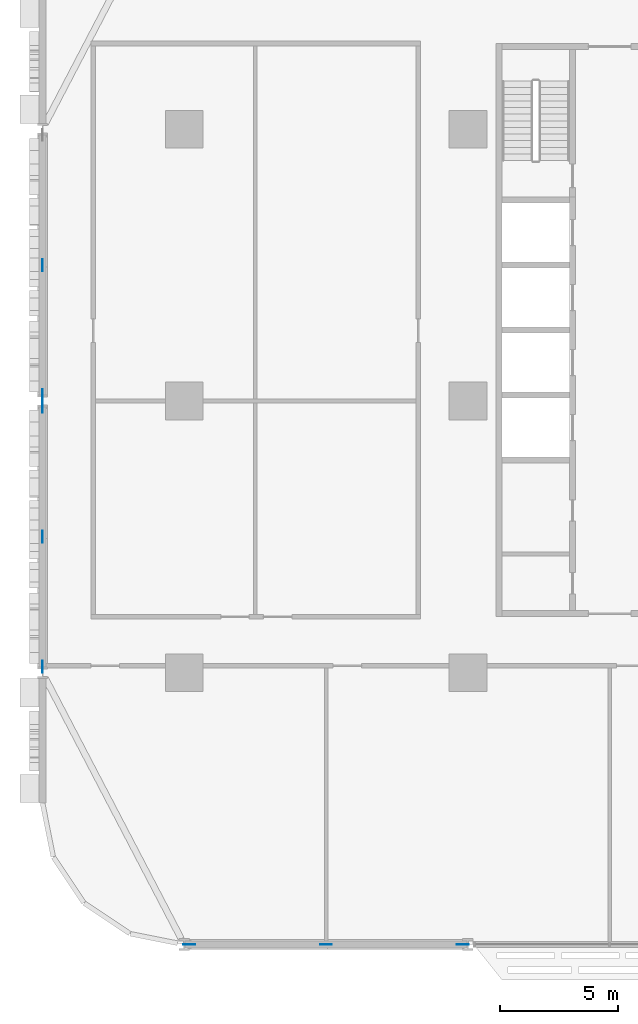
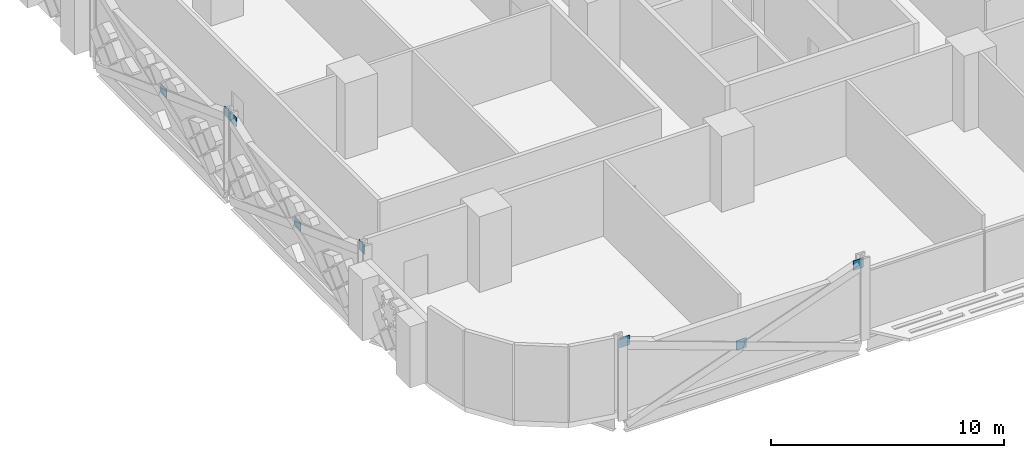
# One storey, part 16 of 28: 8 discrete accessories.
"""IFC4 building model written with IfcOpenShell, lengths in metres."""

from ifc_helpers import new_model, si_unit, direction, frame, origin, origin_2d, place, context, subcontext, project, spatial, rectangle, extrude, material, layer, layer_set, type_object, element, save


model = new_model("IFC4")

# Units and contexts
model_context = context("Model", 3, precision=1e-05, world=origin(), true_north=direction((0.0, 1.0)))
body_context = subcontext(model_context, "Body", "Model", "MODEL_VIEW")
ifc_project = project(units=[si_unit("LENGTHUNIT", "METRE"), si_unit("AREAUNIT", "SQUARE_METRE"), si_unit("VOLUMEUNIT", "CUBIC_METRE"), si_unit("PLANEANGLEUNIT", "RADIAN"), si_unit("MASSUNIT", "GRAM", prefix="KILO")], contexts=[model_context])

# Site, building, storey
site_placement = place(None, origin())
site = spatial("IfcSite", under=ifc_project, at=site_placement, CompositionType="ELEMENT")
building_placement = place(site_placement, origin())
building = spatial("IfcBuilding", under=site, at=building_placement, Name="Mahtab Terrace Research Tower", CompositionType="ELEMENT")
storey_placement = place(building_placement, frame((0.0, 0.0, 33.0)))
storey = spatial("IfcBuildingStorey", under=building, at=storey_placement, Name="L07", CompositionType="ELEMENT", Elevation=33.0)

# Discrete accessories
ifc_material = material(Name="Steel ASTM A992 Gr 50", Category="steel")
ifc_layer = layer(ifc_material, 0.030029296875)
ifc_layer_set = layer_set([ifc_layer], Name="Gusset plate 500x500x30")
discrete_accessory_type = type_object("IfcDiscreteAccessoryType", Name="Gusset plate 500x500x30", PredefinedType="USERDEFINED", material=ifc_layer_set)
for number, where, z_axis, x_axis, name in (
    (1, (-41.7841796875, -23.0, 3.32958984375), (0.0, 0.0, 1.0), (1.0, 0.0, 0.0), "Gusset plate"),
    (2, (-36.0, -23.0, 1.181396484375), (0.0, 0.0, 1.0), (1.0, 0.0, 0.0), "Gusset plate"),
    (3, (-30.2158203125, -23.0, 3.32958984375), (0.0, 0.0, 1.0), (1.0, 0.0, 0.0), "Gusset plate"),
    (4, (-48.0, -11.251220703125, 3.329345703125), (0.0, 0.0, 1.0), (0.0, 1.0, 0.0), "Gusset plate"),
    (5, (-48.0, -5.75, 1.181396484375), (0.0, 0.0, 1.0), (0.0, 1.0, 0.0), "Gusset plate"),
    (6, (-48.0, -0.248779296875, 3.329345703125), (0.0, 0.0, 1.0), (0.0, 1.0, 0.0), "Gusset plate"),
    (7, (-48.0, 0.248779296875, 3.329345703125), (0.0, 0.0, 1.0), (0.0, 1.0, 0.0), "Gusset plate"),
    (8, (-48.0, 5.75, 1.181396484375), (0.0, 0.0, 1.0), (0.0, 1.0, 0.0), "Gusset plate"),
):
    element("IfcDiscreteAccessory", number, at=place(storey_placement, frame(where, z_axis=z_axis, x_axis=x_axis)), inside=storey, type_object=discrete_accessory_type, Name=name, ObjectType="GUSSET PLATE", PredefinedType="USERDEFINED", context=body_context, shape_type="SweptSolid", body=[
        extrude(rectangle(XDim=0.5, YDim=0.030029296875, at=origin_2d()), origin(), (0.0, 0.0, 1.0), 0.5),
    ])

save(model, "model.ifc")
